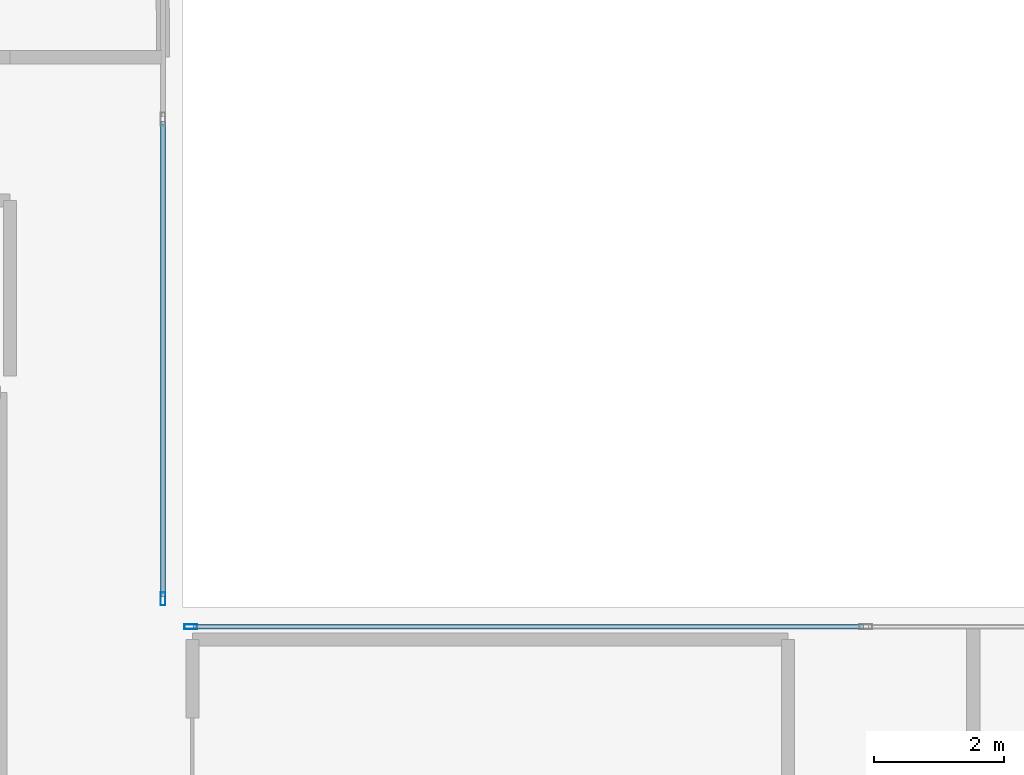
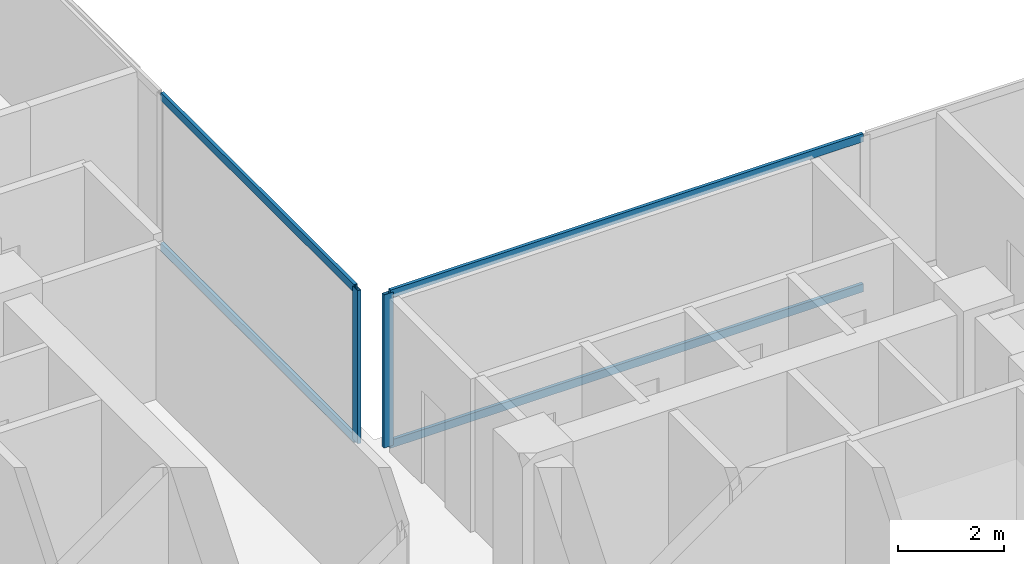
# One storey, part 8 of 24: 6 members, 2 elements without a shape of their own.
"""IFC4 building model written with IfcOpenShell, lengths in metres."""

from ifc_helpers import new_model, si_unit, direction, frame, origin, origin_2d, place, context, subcontext, project, spatial, hollow_rectangle, extrude, material, layer, layer_set, material_profile, profile_set, type_object, element, aggregate, save


model = new_model("IFC4")

# Units and contexts
model_context = context("Model", 3, precision=1e-05, world=origin(), true_north=direction((0.0, 1.0)))
body_context = subcontext(model_context, "Body", "Model", "MODEL_VIEW")
ifc_project = project(units=[si_unit("LENGTHUNIT", "METRE"), si_unit("AREAUNIT", "SQUARE_METRE"), si_unit("VOLUMEUNIT", "CUBIC_METRE"), si_unit("PLANEANGLEUNIT", "RADIAN"), si_unit("MASSUNIT", "GRAM", prefix="KILO"), si_unit("THERMODYNAMICTEMPERATUREUNIT", "KELVIN"), si_unit("POWERUNIT", "WATT")], contexts=[model_context])

# Site, building, storey
site_placement = place(None, origin())
site = spatial("IfcSite", under=ifc_project, at=site_placement, CompositionType="ELEMENT")
building_placement = place(site_placement, origin())
building = spatial("IfcBuilding", under=site, at=building_placement, Name="Svarakhadi Broadcast Tower", CompositionType="ELEMENT")
storey_placement = place(building_placement, frame((0.0, 0.0, 115.64990234375)))
storey = spatial("IfcBuildingStorey", under=building, at=storey_placement, Name="L27", CompositionType="ELEMENT", Elevation=115.64990234375)

# Curtain wall, member
ifc_material = material(Name="Anodised Bronze Aluminium AA 6063-T6", Category="aluminium")
ifc_layer = layer(ifc_material, 0.199951171875)
ifc_layer_set = layer_set([ifc_layer], Name="Anodised Bronze Aluminium AA 6063-T6")
curtain_wall_type = type_object("IfcCurtainWallType", Name="CW_Sys_03", PredefinedType="NOTDEFINED", material=ifc_layer_set)
curtain_wall_1_placement = place(storey_placement, origin())
curtain_wall_1 = element("IfcCurtainWall", 1, at=curtain_wall_1_placement, inside=storey, type_object=curtain_wall_type, Name="L27 Unitised Facade Curtain Wall 09", PredefinedType="NOTDEFINED")
ifc_material_profile_1 = material_profile(ifc_material, hollow_rectangle(XDim=0.074951171875, YDim=0.199951171875, WallThickness=0.005615234375, at=origin_2d()), Name="ALU MULLION 200x75x6")
ifc_profile_set_1 = profile_set([ifc_material_profile_1], Name="Anodised Bronze Aluminium AA 6063-T6")
member_type_1 = type_object("IfcMemberType", Name="CW_Sys_03_Mul", PredefinedType="MULLION", material=ifc_profile_set_1)
member_1_placement = place(storey_placement, frame((23.699951171875, 24.12744140625, 0.0), z_axis=(0.0, 0.0, 1.0), x_axis=(1.0, 0.0, 0.0)))
member_1 = element("IfcMember", 2, at=member_1_placement, type_object=member_type_1, Name="CW-03 mullion 3", PredefinedType="MULLION", context=body_context, shape_type="SweptSolid", body=[
    extrude(hollow_rectangle(XDim=0.074951171875, YDim=0.199951171875, WallThickness=0.005615234375, at=origin_2d()), origin(), (0.0, 0.0, 1.0), 3.525146484375),
])

curtain_wall_2_placement = place(storey_placement, origin())
curtain_wall_2 = element("IfcCurtainWall", 3, at=curtain_wall_2_placement, inside=storey, type_object=curtain_wall_type, Name="L27 Unitised Facade Curtain Wall 10", PredefinedType="NOTDEFINED")
member_2_placement = place(storey_placement, frame((24.12744140625, 23.699951171875, 0.0), z_axis=(0.0, 0.0, 1.0), x_axis=(0.0, 1.0, 0.0)))
member_2 = element("IfcMember", 4, at=member_2_placement, type_object=member_type_1, Name="CW-03 mullion 1", PredefinedType="MULLION", context=body_context, shape_type="SweptSolid", body=[
    extrude(hollow_rectangle(XDim=0.074951171875, YDim=0.199951171875, WallThickness=0.005615234375, at=origin_2d()), origin(), (0.0, 0.0, 1.0), 3.525146484375),
])

# Member
ifc_material_profile_2 = material_profile(ifc_material, hollow_rectangle(XDim=0.070068359375, YDim=0.18505859375, WallThickness=0.0048828125, at=origin_2d()), Name="ALU TRANSOM 185x70x5")
ifc_profile_set_2 = profile_set([ifc_material_profile_2], Name="Anodised Bronze Aluminium AA 6063-T6")
member_type_2 = type_object("IfcMemberType", Name="CW_Sys_03_Trn", PredefinedType="USERDEFINED", material=ifc_profile_set_2)
member_3_placement = place(storey_placement, frame((23.699951171875, 31.46240234375, 0.03515625), z_axis=(0.0, -1.0, 0.0), x_axis=(1.0, 0.0, 0.0)))
member_3 = element("IfcMember", 5, at=member_3_placement, type_object=member_type_2, Name="CW-03 transom 2.1", ObjectType="TRANSOM", PredefinedType="USERDEFINED", context=body_context, shape_type="SweptSolid", body=[
    extrude(hollow_rectangle(XDim=0.070068359375, YDim=0.18505859375, WallThickness=0.0048828125, at=origin_2d()), origin(), (0.0, 0.0, 1.0), 7.29736328125),
])

member_4_placement = place(storey_placement, frame((23.699951171875, 31.46240234375, 3.489990234375), z_axis=(0.0, -1.0, 0.0), x_axis=(1.0, 0.0, 0.0)))
member_4 = element("IfcMember", 6, at=member_4_placement, type_object=member_type_2, Name="CW-03 transom 2.2", ObjectType="TRANSOM", PredefinedType="USERDEFINED", context=body_context, shape_type="SweptSolid", body=[
    extrude(hollow_rectangle(XDim=0.070068359375, YDim=0.18505859375, WallThickness=0.0048828125, at=origin_2d()), origin(), (0.0, 0.0, 1.0), 7.29736328125),
])

aggregate(curtain_wall_1, [member_1, member_3, member_4])

member_5_placement = place(storey_placement, frame((24.1650390625, 23.699951171875, 0.03515625), z_axis=(1.0, 0.0, 0.0), x_axis=(0.0, 1.0, 0.0)))
member_5 = element("IfcMember", 7, at=member_5_placement, type_object=member_type_2, Name="CW-03 transom 1.1", ObjectType="TRANSOM", PredefinedType="USERDEFINED", context=body_context, shape_type="SweptSolid", body=[
    extrude(hollow_rectangle(XDim=0.070068359375, YDim=0.18505859375, WallThickness=0.0048828125, at=origin_2d()), origin(), (0.0, 0.0, 1.0), 10.29736328125),
])

member_6_placement = place(storey_placement, frame((24.1650390625, 23.699951171875, 3.489990234375), z_axis=(1.0, 0.0, 0.0), x_axis=(0.0, 1.0, 0.0)))
member_6 = element("IfcMember", 8, at=member_6_placement, type_object=member_type_2, Name="CW-03 transom 1.2", ObjectType="TRANSOM", PredefinedType="USERDEFINED", context=body_context, shape_type="SweptSolid", body=[
    extrude(hollow_rectangle(XDim=0.070068359375, YDim=0.18505859375, WallThickness=0.0048828125, at=origin_2d()), origin(), (0.0, 0.0, 1.0), 10.29736328125),
])

aggregate(curtain_wall_2, [member_2, member_5, member_6])

save(model, "model.ifc")
